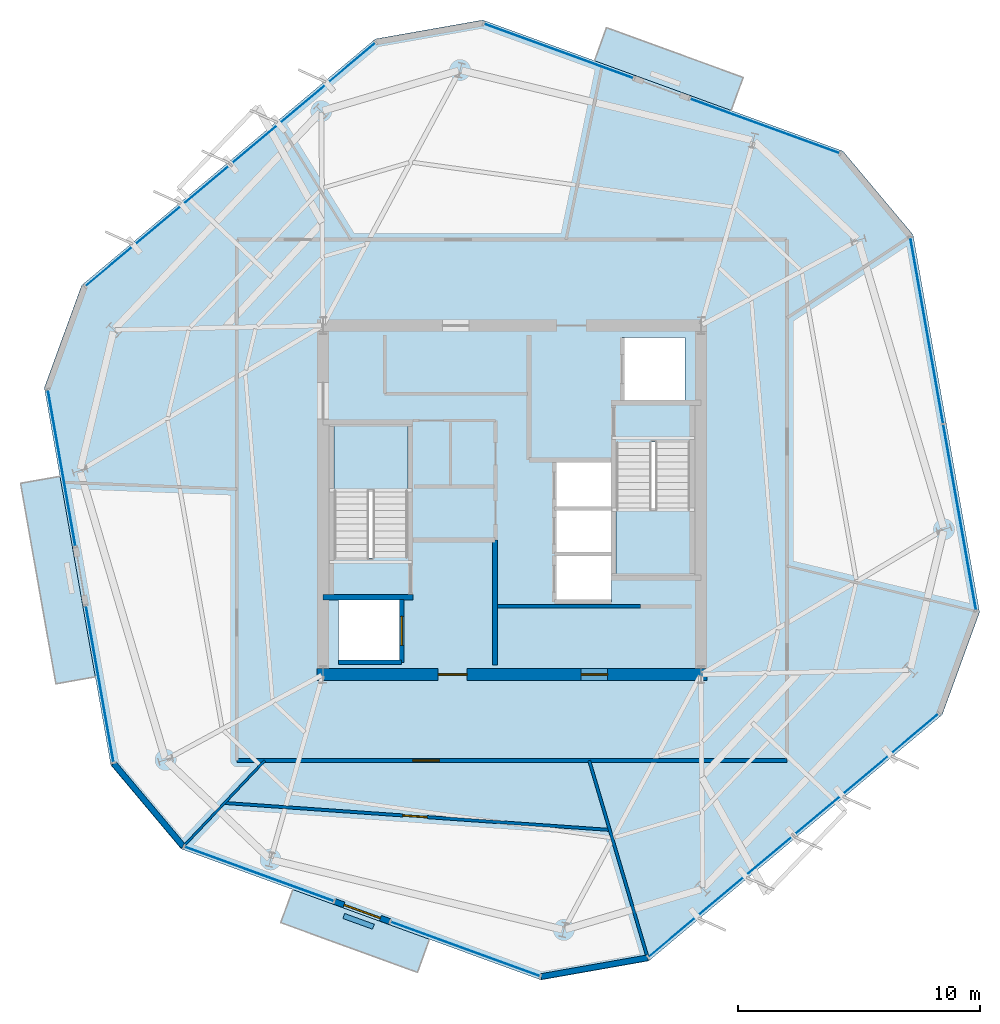
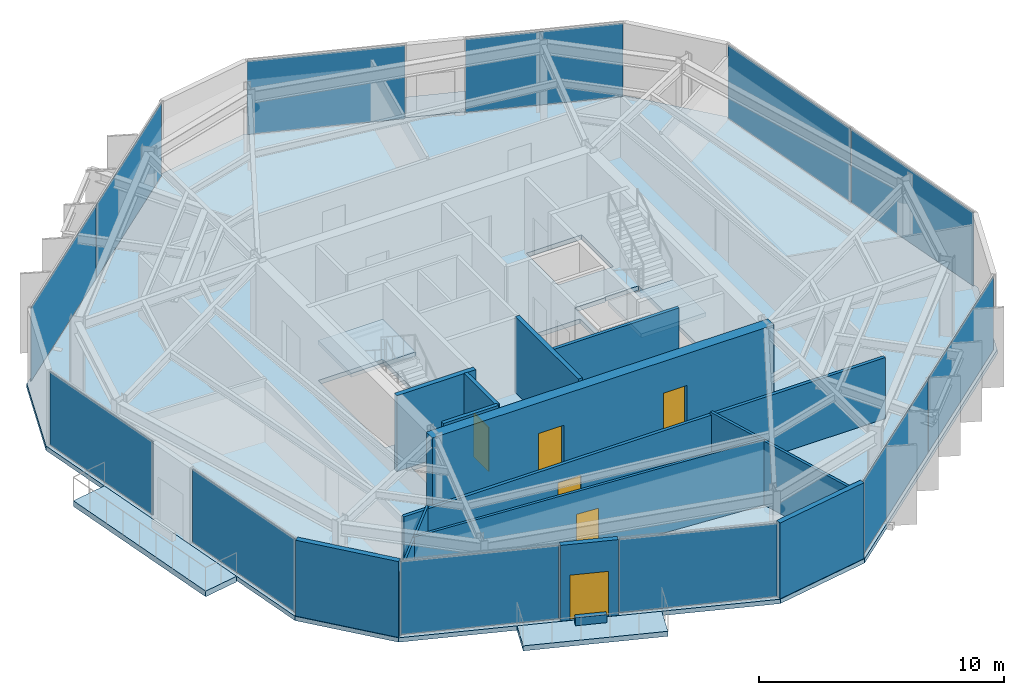
# One storey, part 6 of 11: 14 walls, 12 plates, 6 doors, 6 slabs, 6 openings, 11 elements without a shape of their own.
"""IFC4 building model written with IfcOpenShell, lengths in metres."""

from ifc_helpers import new_model, si_unit, direction, frame, frame_2d, origin, origin_2d, place, context, subcontext, project, spatial, polyline, rectangle, outline, extrude, material, layer, layer_set, type_object, element, fill, aggregate, save


model = new_model("IFC4")

# Units and contexts
model_context = context("Model", 3, precision=1e-05, world=origin(), true_north=direction((0.0, 1.0)))
body_context = subcontext(model_context, "Body", "Model", "MODEL_VIEW")
ifc_project = project(units=[si_unit("LENGTHUNIT", "METRE"), si_unit("AREAUNIT", "SQUARE_METRE"), si_unit("VOLUMEUNIT", "CUBIC_METRE"), si_unit("PLANEANGLEUNIT", "RADIAN"), si_unit("MASSUNIT", "GRAM", prefix="KILO")], contexts=[model_context])

# Site, building, storey
site_placement = place(None, origin())
site = spatial("IfcSite", under=ifc_project, at=site_placement, CompositionType="ELEMENT")
building_placement = place(site_placement, origin())
building = spatial("IfcBuilding", under=site, at=building_placement, Name="Kranzbogen Civic Tower", CompositionType="ELEMENT")
storey_placement = place(building_placement, frame((0.0, 0.0, 184.800048828125)))
storey = spatial("IfcBuildingStorey", under=building, at=storey_placement, Name="L44", CompositionType="ELEMENT", Elevation=184.800048828125)

# Slab
ifc_material_1 = material(Name="Concrete C40/50", Category="concrete")
ifc_layer_1 = layer(ifc_material_1, 0.219970703125, Name="Concrete C40/50")
ifc_layer_set_1 = layer_set([ifc_layer_1], Name="Concrete C40/50")
slab_type_1 = type_object("IfcSlabType", Name="Composite Upper Tower Floor Slab 220 mm", PredefinedType="FLOOR", material=ifc_layer_set_1)
slab_1_placement = place(storey_placement, frame((0.0, 0.0, -0.219970703125)))
element("IfcSlab", 1, at=slab_1_placement, inside=storey, type_object=slab_type_1, Name="L44 tower floor slab", PredefinedType="FLOOR", context=body_context, shape_type="SweptSolid", body=[
    extrude(outline(polyline([(38.656982421875, 39.39697265625), (23.7919921875, 44.80810546875), (19.360107421875, 44.02587890625), (7.241943359375, 33.85791015625), (5.702880859375, 29.62890625), (8.449951171875, 14.050048828125), (11.343017578125, 10.60302734375), (26.2080078125, 5.19189453125), (30.639892578125, 5.97412109375), (42.758056640625, 16.14208984375), (44.297119140625, 20.37109375), (41.550048828125, 35.949951171875), (38.656982421875, 39.39697265625)]), holes=[polyline([(17.85009765625, 20.89990234375), (20.449951171875, 20.89990234375), (20.449951171875, 18.300048828125), (17.85009765625, 18.300048828125), (17.85009765625, 20.89990234375)]), polyline([(29.10009765625, 22.699951171875), (29.10009765625, 20.800048828125), (26.75, 20.800048828125), (26.75, 22.699951171875), (29.10009765625, 22.699951171875)]), polyline([(29.10009765625, 24.64990234375), (29.10009765625, 22.77490234375), (26.75, 22.77490234375), (26.75, 24.64990234375), (26.75, 24.675048828125), (26.75, 26.550048828125), (29.10009765625, 26.550048828125), (29.10009765625, 24.675048828125), (29.10009765625, 24.64990234375)]), polyline([(29.300048828125, 27.340087890625), (30.75, 27.340087890625), (30.75, 27.39990234375), (32.35009765625, 27.39990234375), (32.35009765625, 21.89990234375), (29.300048828125, 21.89990234375), (29.300048828125, 27.340087890625)]), polyline([(20.699951171875, 22.659912109375), (19.25, 22.659912109375), (19.25, 22.60009765625), (17.64990234375, 22.60009765625), (17.64990234375, 28.10009765625), (20.699951171875, 28.10009765625), (20.699951171875, 22.659912109375)]), polyline([(32.14990234375, 31.699951171875), (32.14990234375, 29.10009765625), (29.550048828125, 29.10009765625), (29.550048828125, 31.699951171875), (32.14990234375, 31.699951171875)])]), origin(), (0.0, 0.0, 1.0), 0.219970703125),
])

# Curtain wall, plate
ifc_material_2 = material(Name="Pale Anodised Aluminium", Category="aluminium")
ifc_layer_2 = layer(ifc_material_2, 0.219970703125, Name="Pale Anodised Aluminium")
ifc_layer_set_2 = layer_set([ifc_layer_2], Name="Pale Anodised Aluminium")
curtain_wall_type = type_object("IfcCurtainWallType", Name="Zone 3 Stick Curtain Wall System CW-04", PredefinedType="USERDEFINED", material=ifc_layer_set_2)
curtain_wall_1_placement = place(storey_placement, origin())
curtain_wall_1 = element("IfcCurtainWall", 2, at=curtain_wall_1_placement, inside=storey, type_object=curtain_wall_type, Name="L44 curtain wall CW-L44-F1-S1", ObjectType="STICK CURTAIN WALL", PredefinedType="USERDEFINED")
ifc_material_3 = material(Name="Low-E Triple Glazing Glass", Category="glass")
ifc_layer_3 = layer(ifc_material_3, 0.030029296875, Name="Low-E Triple Glazing Glass")
ifc_layer_set_3 = layer_set([ifc_layer_3], Name="Low-E Triple Glazing Glass")
plate_type = type_object("IfcPlateType", Name="Insulated Low-E Glazing Panel 30 mm", PredefinedType="CURTAIN_PANEL", material=ifc_layer_set_3)
plate_1_placement = place(storey_placement, frame((35.43505859375, 40.43310546875, 0.06005859375), z_axis=(0.0, 0.0, 1.0), x_axis=(-0.93967049042, 0.342080939887, 0.0)))
plate_1 = element("IfcPlate", 3, at=plate_1_placement, type_object=plate_type, Name="CW-04 panel 1.1", PredefinedType="CURTAIN_PANEL", context=body_context, shape_type="SweptSolid", body=[
    extrude(rectangle(XDim=6.533447265625, YDim=0.028076171875, at=origin_2d()), origin(), (0.0, 0.0, 1.0), 3.659912109375),
])
aggregate(curtain_wall_1, [plate_1])

curtain_wall_2_placement = place(storey_placement, origin())
curtain_wall_2 = element("IfcCurtainWall", 4, at=curtain_wall_2_placement, inside=storey, type_object=curtain_wall_type, Name="L44 curtain wall CW-L44-F1-S2", ObjectType="STICK CURTAIN WALL", PredefinedType="USERDEFINED")
plate_2_placement = place(storey_placement, frame((26.927490234375, 43.530029296875, 0.06005859375), z_axis=(0.0, 0.0, 1.0), x_axis=(-0.93968807461, 0.342032633583, 0.0)))
plate_2 = element("IfcPlate", 5, at=plate_2_placement, type_object=plate_type, Name="CW-04 panel 1.1", PredefinedType="CURTAIN_PANEL", context=body_context, shape_type="SweptSolid", body=[
    extrude(rectangle(XDim=6.534423828125, YDim=0.028076171875, at=origin_2d()), origin(), (0.0, 0.0, 1.0), 3.659912109375),
])
aggregate(curtain_wall_2, [plate_2])

# Curtain wall, plates
curtain_wall_3_placement = place(storey_placement, origin())
curtain_wall_3 = element("IfcCurtainWall", 6, at=curtain_wall_3_placement, inside=storey, type_object=curtain_wall_type, Name="L44 curtain wall CW-L44-F2", ObjectType="STICK CURTAIN WALL", PredefinedType="USERDEFINED")
plate_3_placement = place(storey_placement, frame((16.38037109375, 41.3583984375, 0.06005859375), z_axis=(0.0, 0.0, 1.0), x_axis=(-0.766072212874, -0.642754513529, 0.0)))
plate_3 = element("IfcPlate", 7, at=plate_3_placement, type_object=plate_type, Name="CW-04 panel 1.1", PredefinedType="CURTAIN_PANEL", context=body_context, shape_type="SweptSolid", body=[
    extrude(rectangle(XDim=7.763671875, YDim=0.028076171875, at=origin_2d()), origin(), (0.0, 0.0, 1.0), 3.659912109375),
])
plate_4_placement = place(storey_placement, frame((10.38671875, 36.32958984375, 0.06005859375), z_axis=(0.0, 0.0, 1.0), x_axis=(-0.766072212874, -0.642754513529, 0.0)))
plate_4 = element("IfcPlate", 8, at=plate_4_placement, type_object=plate_type, Name="CW-04 panel 2.1", PredefinedType="CURTAIN_PANEL", context=body_context, shape_type="SweptSolid", body=[
    extrude(rectangle(XDim=7.763671875, YDim=0.028076171875, at=origin_2d()), origin(), (0.0, 0.0, 1.0), 3.659912109375),
])
aggregate(curtain_wall_3, [plate_3, plate_4])

# Curtain wall, plate
curtain_wall_4_placement = place(storey_placement, origin())
curtain_wall_4 = element("IfcCurtainWall", 9, at=curtain_wall_4_placement, inside=storey, type_object=curtain_wall_type, Name="L44 curtain wall CW-L44-F3-S1", ObjectType="STICK CURTAIN WALL", PredefinedType="USERDEFINED")
plate_5_placement = place(storey_placement, frame((6.41650390625, 26.320068359375, 0.06005859375), z_axis=(0.0, 0.0, 1.0), x_axis=(0.173605264532, -0.984815318792, 0.0)))
plate_5 = element("IfcPlate", 10, at=plate_5_placement, type_object=plate_type, Name="CW-04 panel 1.1", PredefinedType="CURTAIN_PANEL", context=body_context, shape_type="SweptSolid", body=[
    extrude(rectangle(XDim=6.532958984375, YDim=0.028076171875, at=origin_2d()), origin(), (0.0, 0.0, 1.0), 3.659912109375),
])
aggregate(curtain_wall_4, [plate_5])

curtain_wall_5_placement = place(storey_placement, origin())
curtain_wall_5 = element("IfcCurtainWall", 11, at=curtain_wall_5_placement, inside=storey, type_object=curtain_wall_type, Name="L44 curtain wall CW-L44-F3-S2", ObjectType="STICK CURTAIN WALL", PredefinedType="USERDEFINED")
plate_6_placement = place(storey_placement, frame((7.989013671875, 17.403564453125, 0.06005859375), z_axis=(0.0, 0.0, 1.0), x_axis=(0.173725321879, -0.984794147291, 0.0)))
plate_6 = element("IfcPlate", 12, at=plate_6_placement, type_object=plate_type, Name="CW-04 panel 1.1", PredefinedType="CURTAIN_PANEL", context=body_context, shape_type="SweptSolid", body=[
    extrude(rectangle(XDim=6.5341796875, YDim=0.028076171875, at=origin_2d()), origin(), (0.0, 0.0, 1.0), 3.659912109375),
])
aggregate(curtain_wall_5, [plate_6])

curtain_wall_6_placement = place(storey_placement, origin())
curtain_wall_6 = element("IfcCurtainWall", 13, at=curtain_wall_6_placement, inside=storey, type_object=curtain_wall_type, Name="L44 curtain wall CW-L44-F4-S1", ObjectType="STICK CURTAIN WALL", PredefinedType="USERDEFINED")
plate_7_placement = place(storey_placement, frame((14.56494140625, 9.56689453125, 0.06005859375), z_axis=(0.0, 0.0, 1.0), x_axis=(0.93967049042, -0.342080939887, 0.0)))
plate_7 = element("IfcPlate", 14, at=plate_7_placement, type_object=plate_type, Name="CW-04 panel 1.1", PredefinedType="CURTAIN_PANEL", context=body_context, shape_type="SweptSolid", body=[
    extrude(rectangle(XDim=6.533447265625, YDim=0.028076171875, at=origin_2d()), origin(), (0.0, 0.0, 1.0), 3.659912109375),
])
aggregate(curtain_wall_6, [plate_7])

curtain_wall_7_placement = place(storey_placement, origin())
curtain_wall_7 = element("IfcCurtainWall", 15, at=curtain_wall_7_placement, inside=storey, type_object=curtain_wall_type, Name="L44 curtain wall CW-L44-F4-S2", ObjectType="STICK CURTAIN WALL", PredefinedType="USERDEFINED")
plate_8_placement = place(storey_placement, frame((23.072509765625, 6.469970703125, 0.06005859375), z_axis=(0.0, 0.0, 1.0), x_axis=(0.93968807461, -0.342032633583, 0.0)))
plate_8 = element("IfcPlate", 16, at=plate_8_placement, type_object=plate_type, Name="CW-04 panel 1.1", PredefinedType="CURTAIN_PANEL", context=body_context, shape_type="SweptSolid", body=[
    extrude(rectangle(XDim=6.534423828125, YDim=0.028076171875, at=origin_2d()), origin(), (0.0, 0.0, 1.0), 3.659912109375),
])
aggregate(curtain_wall_7, [plate_8])

# Curtain wall, plates
curtain_wall_8_placement = place(storey_placement, origin())
curtain_wall_8 = element("IfcCurtainWall", 17, at=curtain_wall_8_placement, inside=storey, type_object=curtain_wall_type, Name="L44 curtain wall CW-L44-F5", ObjectType="STICK CURTAIN WALL", PredefinedType="USERDEFINED")
plate_9_placement = place(storey_placement, frame((33.61962890625, 8.6416015625, 0.06005859375), z_axis=(0.0, 0.0, 1.0), x_axis=(0.766072212874, 0.642754513529, 0.0)))
plate_9 = element("IfcPlate", 18, at=plate_9_placement, type_object=plate_type, Name="CW-04 panel 1.1", PredefinedType="CURTAIN_PANEL", context=body_context, shape_type="SweptSolid", body=[
    extrude(rectangle(XDim=7.763671875, YDim=0.028076171875, at=origin_2d()), origin(), (0.0, 0.0, 1.0), 3.659912109375),
])
plate_10_placement = place(storey_placement, frame((39.61328125, 13.67041015625, 0.06005859375), z_axis=(0.0, 0.0, 1.0), x_axis=(0.766072212874, 0.642754513529, 0.0)))
plate_10 = element("IfcPlate", 19, at=plate_10_placement, type_object=plate_type, Name="CW-04 panel 2.1", PredefinedType="CURTAIN_PANEL", context=body_context, shape_type="SweptSolid", body=[
    extrude(rectangle(XDim=7.763671875, YDim=0.028076171875, at=origin_2d()), origin(), (0.0, 0.0, 1.0), 3.659912109375),
])
aggregate(curtain_wall_8, [plate_9, plate_10])

curtain_wall_9_placement = place(storey_placement, origin())
curtain_wall_9 = element("IfcCurtainWall", 20, at=curtain_wall_9_placement, inside=storey, type_object=curtain_wall_type, Name="L44 curtain wall CW-L44-F6", ObjectType="STICK CURTAIN WALL", PredefinedType="USERDEFINED")
plate_11_placement = place(storey_placement, frame((43.476318359375, 24.2861328125, 0.06005859375), z_axis=(0.0, 0.0, 1.0), x_axis=(-0.173672747489, 0.984803420374, 0.0)))
plate_11 = element("IfcPlate", 21, at=plate_11_placement, type_object=plate_type, Name="CW-04 panel 1.1", PredefinedType="CURTAIN_PANEL", context=body_context, shape_type="SweptSolid", body=[
    extrude(rectangle(XDim=7.763916015625, YDim=0.028076171875, at=origin_2d()), origin(), (0.0, 0.0, 1.0), 3.659912109375),
])
plate_12_placement = place(storey_placement, frame((42.11767578125, 31.990966796875, 0.06005859375), z_axis=(0.0, 0.0, 1.0), x_axis=(-0.173672747489, 0.984803420374, 0.0)))
plate_12 = element("IfcPlate", 22, at=plate_12_placement, type_object=plate_type, Name="CW-04 panel 2.1", PredefinedType="CURTAIN_PANEL", context=body_context, shape_type="SweptSolid", body=[
    extrude(rectangle(XDim=7.763916015625, YDim=0.028076171875, at=origin_2d()), origin(), (0.0, 0.0, 1.0), 3.659912109375),
])
aggregate(curtain_wall_9, [plate_11, plate_12])

# Stair, slab
ifc_material_4 = material(Name="Precast concrete C40/50", Category="concrete")
stair_type_1 = type_object("IfcStairType", Name="Tower Core Pressurized Dogleg Stair 1450", PredefinedType="HALF_TURN_STAIR", material=ifc_material_4)
stair_1_placement = place(storey_placement, origin())
stair_1 = element("IfcStair", 23, at=stair_1_placement, inside=storey, type_object=stair_type_1, Name="L44 Tower Core Pressurized Stair 1", PredefinedType="HALF_TURN_STAIR")
ifc_layer_4 = layer(ifc_material_4, 0.199951171875, Name="Precast concrete C40/50")
ifc_layer_set_4 = layer_set([ifc_layer_4], Name="Precast concrete C40/50")
slab_type_2 = type_object("IfcSlabType", Name="Precast Concrete Stair Landing Slab 200 mm", PredefinedType="LANDING", material=ifc_layer_set_4)
slab_2_placement = place(storey_placement, frame((0.0, 0.0, 1.800048828125)))
slab_2 = element("IfcSlab", 24, at=slab_2_placement, type_object=slab_type_2, Name="ST-T1 landing 1", PredefinedType="LANDING", context=body_context, shape_type="SweptSolid", body=[
    extrude(outline(polyline([(20.699951171875, 25.39990234375), (20.699951171875, 28.10009765625), (17.64990234375, 28.10009765625), (17.64990234375, 25.39990234375), (20.699951171875, 25.39990234375)])), origin(), (0.0, 0.0, 1.0), 0.199951171875),
])
aggregate(stair_1, [slab_2])

stair_type_2 = type_object("IfcStairType", Name="Tower Core Secondary Dogleg Stair 1450", PredefinedType="HALF_TURN_STAIR", material=ifc_material_4)
stair_2_placement = place(storey_placement, origin())
stair_2 = element("IfcStair", 25, at=stair_2_placement, inside=storey, type_object=stair_type_2, Name="L44 Tower Core Pressurized Stair 2", PredefinedType="HALF_TURN_STAIR")
slab_3_placement = place(storey_placement, frame((0.0, 0.0, 1.800048828125)))
slab_3 = element("IfcSlab", 26, at=slab_3_placement, type_object=slab_type_2, Name="ST-T2 landing 1", PredefinedType="LANDING", context=body_context, shape_type="SweptSolid", body=[
    extrude(outline(polyline([(29.300048828125, 24.60009765625), (29.300048828125, 21.89990234375), (32.35009765625, 21.89990234375), (32.35009765625, 24.60009765625), (29.300048828125, 24.60009765625)])), origin(), (0.0, 0.0, 1.0), 0.199951171875),
])
aggregate(stair_2, [slab_3])

# Slabs
ifc_layer_5 = layer(ifc_material_1, 0.280029296875, Name="Concrete C40/50")
ifc_layer_set_5 = layer_set([ifc_layer_5], Name="Concrete C40/50")
slab_type_3 = type_object("IfcSlabType", Name="Spiral Terrace Cantilevered Slab 280 mm", PredefinedType="FLOOR", material=ifc_layer_set_5)
slab_4_placement = place(storey_placement, frame((0.0, 0.0, -0.280029296875)))
element("IfcSlab", 27, at=slab_4_placement, inside=storey, type_object=slab_type_3, Name="L44 cantilevered spiral terrace L44-ST", PredefinedType="FLOOR", context=body_context, shape_type="SweptSolid", body=[
    extrude(outline(polyline([(6.346923828125, 25.97607421875), (7.805908203125, 17.702880859375), (6.180908203125, 17.416015625), (4.721923828125, 25.68896484375), (6.346923828125, 25.97607421875)])), origin(), (0.0, 0.0, 1.0), 0.280029296875),
])
ifc_layer_6 = layer(ifc_material_1, 0.25, Name="Concrete C40/50")
ifc_layer_set_6 = layer_set([ifc_layer_6], Name="Concrete C40/50")
slab_type_4 = type_object("IfcSlabType", Name="Tree Balcony Cantilevered Slab 250 mm", PredefinedType="FLOOR", material=ifc_layer_set_6)
slab_5_placement = place(storey_placement, frame((0.0, 0.0, -0.25)))
element("IfcSlab", 28, at=slab_5_placement, inside=storey, type_object=slab_type_4, Name="L44 cantilevered tree balcony L44-TB1", PredefinedType="FLOOR", context=body_context, shape_type="SweptSolid", body=[
    extrude(outline(polyline([(15.9560546875, 8.924072265625), (21.593994140625, 6.8720703125), (21.097900390625, 5.509033203125), (15.4599609375, 7.56103515625), (15.9560546875, 8.924072265625)])), origin(), (0.0, 0.0, 1.0), 0.25),
])
slab_6_placement = place(storey_placement, frame((0.0, 0.0, -0.25)))
element("IfcSlab", 29, at=slab_6_placement, inside=storey, type_object=slab_type_4, Name="L44 cantilevered tree balcony L44-TB2", PredefinedType="FLOOR", context=body_context, shape_type="SweptSolid", body=[
    extrude(outline(polyline([(34.0439453125, 41.075927734375), (28.406005859375, 43.1279296875), (28.902099609375, 44.490966796875), (34.5400390625, 42.43896484375), (34.0439453125, 41.075927734375)])), origin(), (0.0, 0.0, 1.0), 0.25),
])

# Wall
ifc_material_5 = material(Name="Double-Stud Acoustic Gypsum Partition")
ifc_layer_7 = layer(ifc_material_5, 0.14990234375, Name="Double-Stud Acoustic Gypsum Partition")
ifc_layer_set_7 = layer_set([ifc_layer_7], Name="Double-Stud Acoustic Gypsum Partition")
wall_type_1 = type_object("IfcWallType", Name="Acoustic Corridor and Clinical Partition 150 mm", PredefinedType="PARTITIONING", material=ifc_layer_set_7)
wall_1_placement = place(storey_placement, frame((24.39990234375, 20.610107421875, 0.0), z_axis=(0.0, 0.0, 1.0), x_axis=(1.0, 0.0, 0.0)))
element("IfcWall", 30, at=wall_1_placement, inside=storey, type_object=wall_type_1, Name="L44 records zone North wall", PredefinedType="PARTITIONING", context=body_context, shape_type="SweptSolid", body=[
    extrude(rectangle(XDim=5.900146484375, YDim=0.14990234375, at=frame_2d((2.9501953125, 0.0))), origin(), (0.0, 0.0, 1.0), 3.780029296875),
])

# Wall, opening, door
wall_2_placement = place(storey_placement, frame((36.35009765625, 14.25, 0.0), z_axis=(0.0, 0.0, 1.0), x_axis=(-1.0, 0.0, 0.0)))
wall_2 = element("IfcWall", 31, at=wall_2_placement, inside=storey, type_object=wall_type_1, Name="L44 corridor partition 03", PredefinedType="PARTITIONING", context=body_context, shape_type="SweptSolid", body=[
    extrude(rectangle(XDim=22.7001953125, YDim=0.14990234375, at=frame_2d((11.35009765625, 0.0))), origin(), (0.0, 0.0, 1.0), 3.050048828125),
])
opening_1_placement = place(wall_2_placement, frame((14.341064453125, 0.0, 0.0)))
opening_1 = element("IfcOpeningElement", 32, at=opening_1_placement, cuts=wall_2, Name="Opening D-COR60", PredefinedType="OPENING", context=body_context, shape_type="SweptSolid", body=[
    extrude(rectangle(XDim=1.10009765625, YDim=2.199951171875, at=frame_2d((0.550048828125, 1.10009765625))), frame((0.0, 0.0849609375, 0.0), z_axis=(0.0, -1.0, 0.0), x_axis=(1.0, 0.0, 0.0)), (0.0, 0.0, 1.0), 0.169921875),
])
ifc_material_6 = material(Name="Oak Timber and Fire Core", Category="wood")
door_type_1 = type_object("IfcDoorType", Name="Corridor Acoustic Fire Door 1100x2200", OperationType="NOTDEFINED", PredefinedType="DOOR", material=ifc_material_6)
door_1_placement = place(opening_1_placement, origin())
door_1 = element("IfcDoor", 33, at=door_1_placement, inside=storey, type_object=door_type_1, Name="L44 Urban Design Workshop door", OperationType="SINGLE_SWING_LEFT", OverallHeight=2.199951171875, OverallWidth=1.10009765625, PredefinedType="DOOR", context=body_context, shape_type="SweptSolid", body=[
    extrude(rectangle(XDim=1.10009765625, YDim=2.199951171875, at=frame_2d((0.550048828125, 1.10009765625))), frame((0.0, 0.02490234375, 0.0), z_axis=(0.0, -1.0, 0.0), x_axis=(1.0, 0.0, 0.0)), (0.0, 0.0, 1.0), 0.050048828125),
])
fill(opening_1, door_1)

# Wall
ifc_material_7 = material(Name="Insulated Metal-Stud Gypsum Partition")
ifc_layer_8 = layer(ifc_material_7, 0.125, Name="Insulated Metal-Stud Gypsum Partition")
ifc_layer_set_8 = layer_set([ifc_layer_8], Name="Insulated Metal-Stud Gypsum Partition")
wall_type_2 = type_object("IfcWallType", Name="Acoustic Inter-Room Partition 125 mm", PredefinedType="PARTITIONING", material=ifc_layer_set_8)
wall_3_placement = place(storey_placement, frame((28.18701171875, 14.25, 0.0), z_axis=(0.0, 0.0, 1.0), x_axis=(0.284179562535, -0.958771076033, 0.0)))
element("IfcWall", 34, at=wall_3_placement, inside=storey, type_object=wall_type_2, Name="L44 radial room partition 05", PredefinedType="PARTITIONING", context=body_context, shape_type="SweptSolid", body=[
    extrude(rectangle(XDim=8.473388671875, YDim=0.125, at=frame_2d((4.23681640625, 0.0))), origin(), (0.0, 0.0, 1.0), 3.179931640625),
])

# Wall, opening, door
wall_4_placement = place(storey_placement, frame((13.158935546875, 12.49609375, 0.0), z_axis=(0.0, 0.0, 1.0), x_axis=(0.99755970511, -0.069818584499, 0.0)))
wall_4 = element("IfcWall", 35, at=wall_4_placement, inside=storey, type_object=wall_type_2, Name="L44 suite chord partition 01", PredefinedType="PARTITIONING", context=body_context, shape_type="SweptSolid", body=[
    extrude(rectangle(XDim=15.89990234375, YDim=0.125, at=frame_2d((7.949951171875, 0.0))), origin(), (0.0, 0.0, 1.0), 3.280029296875),
])
opening_2_placement = place(wall_4_placement, frame((7.360107421875, 0.0, 0.0)))
opening_2 = element("IfcOpeningElement", 36, at=opening_2_placement, cuts=wall_4, Name="Opening D-OFC10", PredefinedType="OPENING", context=body_context, shape_type="SweptSolid", body=[
    extrude(rectangle(XDim=1.0, YDim=2.14990234375, at=frame_2d((0.5, 1.074951171875))), frame((0.0, 0.072509765625, 0.0), z_axis=(0.0, -1.0, 0.0), x_axis=(1.0, 0.0, 0.0)), (0.0, 0.0, 1.0), 0.14501953125),
])
ifc_material_8 = material(Name="Oak Timber Veneer", Category="wood")
door_type_2 = type_object("IfcDoorType", Name="Standard Office Acoustic Door 1000x2150", OperationType="NOTDEFINED", PredefinedType="DOOR", material=ifc_material_8)
door_2_placement = place(opening_2_placement, origin())
door_2 = element("IfcDoor", 37, at=door_2_placement, inside=storey, type_object=door_type_2, Name="L44 Cultural Screening Clubroom door", OperationType="SINGLE_SWING_RIGHT", OverallHeight=2.14990234375, OverallWidth=1.0, PredefinedType="DOOR", context=body_context, shape_type="SweptSolid", body=[
    extrude(rectangle(XDim=1.0, YDim=2.14990234375, at=frame_2d((0.5, 1.074951171875))), frame((0.0, 0.02490234375, 0.0), z_axis=(0.0, -1.0, 0.0), x_axis=(1.0, 0.0, 0.0)), (0.0, 0.0, 1.0), 0.050048828125),
])
fill(opening_2, door_2)

# Wall
ifc_material_9 = material(Name="Architectural Precast Terracotta Concrete C40/50", Category="masonry")
ifc_layer_9 = layer(ifc_material_9, 0.219970703125, Name="Architectural Precast Terracotta Concrete C40/50")
ifc_layer_set_9 = layer_set([ifc_layer_9], Name="Architectural Precast Terracotta Concrete C40/50")
wall_type_3 = type_object("IfcWallType", Name="Architectural Tree Planter Kerb Wall 220 mm", PredefinedType="USERDEFINED", material=ifc_layer_set_9)
wall_5_placement = place(storey_placement, frame((18.06005859375, 7.833984375, 0.0), z_axis=(0.0, 0.0, 1.0), x_axis=(0.93985371871, -0.341577205661, 0.0)))
element("IfcWall", 38, at=wall_5_placement, inside=storey, type_object=wall_type_3, Name="L44 landscaped tree balcony planter L44-TB1", ObjectType="PLANTER_WALL", PredefinedType="USERDEFINED", context=body_context, shape_type="SweptSolid", body=[
    extrude(rectangle(XDim=1.300048828125, YDim=0.219970703125, at=frame_2d((0.64990234375, 0.0))), origin(), (0.0, 0.0, 1.0), 0.39990234375),
])

# Wall, openings, doors
ifc_material_10 = material(Name="Concrete C45/55", Category="concrete")
ifc_layer_10 = layer(ifc_material_10, 0.5, Name="Concrete C45/55")
ifc_layer_set_10 = layer_set([ifc_layer_10], Name="Concrete C45/55")
wall_type_4 = type_object("IfcWallType", Name="Central Core Shear Wall 500 mm", PredefinedType="SHEAR", material=ifc_layer_set_10)
wall_6_placement = place(storey_placement, frame((16.949951171875, 17.800048828125, 0.0), z_axis=(0.0, 0.0, 1.0), x_axis=(1.0, 0.0, 0.0)))
wall_6 = element("IfcWall", 39, at=wall_6_placement, inside=storey, type_object=wall_type_4, Name="L44 central core South shear wall", PredefinedType="SHEAR", context=body_context, shape_type="SweptSolid", body=[
    extrude(rectangle(XDim=16.10009765625, YDim=0.5, at=frame_2d((8.050048828125, 0.0))), origin(), (0.0, 0.0, 1.0), 3.780029296875),
])
opening_3_placement = place(wall_6_placement, frame((5.0, 0.0, 0.0)))
opening_3 = element("IfcOpeningElement", 40, at=opening_3_placement, cuts=wall_6, Name="Opening D-EX120", PredefinedType="OPENING", context=body_context, shape_type="SweptSolid", body=[
    extrude(rectangle(XDim=1.199951171875, YDim=2.25, at=frame_2d((0.60009765625, 1.125))), frame((0.0, 0.260009765625, 0.0), z_axis=(0.0, -1.0, 0.0), x_axis=(1.0, 0.0, 0.0)), (0.0, 0.0, 1.0), 0.52001953125),
])
opening_4_placement = place(wall_6_placement, frame((10.89990234375, 0.0, 0.0)))
opening_4 = element("IfcOpeningElement", 41, at=opening_4_placement, cuts=wall_6, Name="Opening D-COR60", PredefinedType="OPENING", context=body_context, shape_type="SweptSolid", body=[
    extrude(rectangle(XDim=1.10009765625, YDim=2.199951171875, at=frame_2d((0.550048828125, 1.10009765625))), frame((0.0, 0.260009765625, 0.0), z_axis=(0.0, -1.0, 0.0), x_axis=(1.0, 0.0, 0.0)), (0.0, 0.0, 1.0), 0.52001953125),
])
door_3_placement = place(opening_4_placement, origin())
door_3 = element("IfcDoor", 42, at=door_3_placement, inside=storey, type_object=door_type_1, Name="L44 REC1 archive room door", OperationType="SINGLE_SWING_RIGHT", OverallHeight=2.199951171875, OverallWidth=1.10009765625, PredefinedType="DOOR", context=body_context, shape_type="SweptSolid", body=[
    extrude(rectangle(XDim=1.10009765625, YDim=2.199951171875, at=frame_2d((0.550048828125, 1.10009765625))), frame((0.0, 0.02490234375, 0.0), z_axis=(0.0, -1.0, 0.0), x_axis=(1.0, 0.0, 0.0)), (0.0, 0.0, 1.0), 0.050048828125),
])
fill(opening_4, door_3)
ifc_material_11 = material(Name="Steel S355", Category="steel")
door_type_3 = type_object("IfcDoorType", Name="Exit Passageway Fire Door 1200x2250", OperationType="NOTDEFINED", PredefinedType="DOOR", material=ifc_material_11)
door_4_placement = place(opening_3_placement, origin())
door_4 = element("IfcDoor", 43, at=door_4_placement, inside=storey, type_object=door_type_3, Name="L44 West firefighting lobby corridor door", OperationType="SINGLE_SWING_LEFT", OverallHeight=2.25, OverallWidth=1.199951171875, PredefinedType="DOOR", context=body_context, shape_type="SweptSolid", body=[
    extrude(rectangle(XDim=1.199951171875, YDim=2.25, at=frame_2d((0.60009765625, 1.125))), frame((0.0, 0.02490234375, 0.0), z_axis=(0.0, -1.0, 0.0), x_axis=(1.0, 0.0, 0.0)), (0.0, 0.0, 1.0), 0.050048828125),
])
fill(opening_3, door_4)

# Walls
ifc_layer_11 = layer(ifc_material_10, 0.219970703125, Name="Concrete C45/55")
ifc_layer_set_11 = layer_set([ifc_layer_11], Name="Concrete C45/55")
wall_type_5 = type_object("IfcWallType", Name="Core Internal Stair Structural Wall 220 mm", PredefinedType="SOLIDWALL", material=ifc_layer_set_11)
wall_7_placement = place(storey_placement, frame((17.199951171875, 20.989990234375, 0.0), z_axis=(0.0, 0.0, 1.0), x_axis=(1.0, 0.0, 0.0)))
element("IfcWall", 44, at=wall_7_placement, inside=storey, type_object=wall_type_5, Name="L44 ST-T1 South structural stair wall", PredefinedType="SOLIDWALL", context=body_context, shape_type="SweptSolid", body=[
    extrude(rectangle(XDim=3.719970703125, YDim=0.219970703125, at=frame_2d((1.85986328125, 0.0))), origin(), (0.0, 0.0, 1.0), 3.780029296875),
])
ifc_material_12 = material(Name="Demountable Aluminium and Gypsum Partition", Category="aluminium")
ifc_layer_12 = layer(ifc_material_12, 0.10009765625, Name="Demountable Aluminium and Gypsum Partition")
ifc_layer_set_12 = layer_set([ifc_layer_12], Name="Demountable Aluminium and Gypsum Partition")
wall_type_6 = type_object("IfcWallType", Name="Demountable Office Partition 100 mm", PredefinedType="MOVABLE", material=ifc_layer_set_12)
wall_8_placement = place(storey_placement, frame((14.802978515625, 14.25, 0.0), z_axis=(0.0, 0.0, 1.0), x_axis=(-0.688284115744, -0.725441228505, 0.0)))
element("IfcWall", 45, at=wall_8_placement, inside=storey, type_object=wall_type_6, Name="L44 radial room partition 04", PredefinedType="MOVABLE", context=body_context, shape_type="SweptSolid", body=[
    extrude(rectangle(XDim=4.86865234375, YDim=0.10009765625, at=frame_2d((2.434326171875, 0.0))), origin(), (0.0, 0.0, 1.0), 3.179931640625),
])
ifc_material_13 = material(Name="Gypsum Fireboard and Concrete Block", Category="concrete")
ifc_layer_13 = layer(ifc_material_13, 0.199951171875, Name="Gypsum Fireboard and Concrete Block")
ifc_layer_set_13 = layer_set([ifc_layer_13], Name="Gypsum Fireboard and Concrete Block")
wall_type_7 = type_object("IfcWallType", Name="Fire-Rated Exit Passageway and Stair Wall 200 mm", PredefinedType="PARTITIONING", material=ifc_layer_set_13)
wall_9_placement = place(storey_placement, frame((24.300048828125, 18.199951171875, 0.0), z_axis=(0.0, 0.0, 1.0), x_axis=(0.0, 1.0, 0.0)))
element("IfcWall", 46, at=wall_9_placement, inside=storey, type_object=wall_type_7, Name="L44 West firefighting lobby East wall", PredefinedType="PARTITIONING", context=body_context, shape_type="SweptSolid", body=[
    extrude(rectangle(XDim=5.150146484375, YDim=0.199951171875, at=frame_2d((2.5751953125, 0.0))), origin(), (0.0, 0.0, 1.0), 3.780029296875),
])

# Wall, opening, door
ifc_material_14 = material(Name="Gypsum Fireboard Shaftliner")
ifc_layer_14 = layer(ifc_material_14, 0.175048828125, Name="Gypsum Fireboard Shaftliner")
ifc_layer_set_14 = layer_set([ifc_layer_14], Name="Gypsum Fireboard Shaftliner")
wall_type_8 = type_object("IfcWallType", Name="Fire-Rated Lift and Service Shaft Wall 175 mm", PredefinedType="PARTITIONING", material=ifc_layer_set_14)
wall_10_placement = place(storey_placement, frame((20.449951171875, 18.300048828125, 0.0), z_axis=(0.0, 0.0, 1.0), x_axis=(0.0, 1.0, 0.0)))
wall_10 = element("IfcWall", 47, at=wall_10_placement, inside=storey, type_object=wall_type_8, Name="L44 lift FF-01 landing wall", PredefinedType="PARTITIONING", context=body_context, shape_type="SweptSolid", body=[
    extrude(rectangle(XDim=2.599853515625, YDim=0.175048828125, at=frame_2d((1.2998046875, 0.0))), origin(), (0.0, 0.0, 1.0), 3.780029296875),
])
opening_5_placement = place(wall_10_placement, frame((0.699951171875, 0.0, 0.0)))
opening_5 = element("IfcOpeningElement", 48, at=opening_5_placement, cuts=wall_10, Name="Opening LD-FF-01", PredefinedType="OPENING", context=body_context, shape_type="SweptSolid", body=[
    extrude(rectangle(XDim=1.199951171875, YDim=2.199951171875, at=frame_2d((0.60009765625, 1.10009765625))), frame((0.0, 0.09765625, 0.0), z_axis=(0.0, -1.0, 0.0), x_axis=(1.0, 0.0, 0.0)), (0.0, 0.0, 1.0), 0.195068359375),
])
door_type_4 = type_object("IfcDoorType", Name="Firefighting and Stretcher Lift Sliding Landing Door 1200x2200", OperationType="DOUBLE_DOOR_SLIDING", PredefinedType="DOOR", material=ifc_material_2)
door_5_placement = place(opening_5_placement, origin())
door_5 = element("IfcDoor", 49, at=door_5_placement, inside=storey, type_object=door_type_4, Name="L44 lift FF-01 sliding landing door", OperationType="DOUBLE_DOOR_SLIDING", OverallHeight=2.199951171875, OverallWidth=1.199951171875, PredefinedType="DOOR", context=body_context, shape_type="SweptSolid", body=[
    extrude(rectangle(XDim=1.199951171875, YDim=2.199951171875, at=frame_2d((0.60009765625, 1.10009765625))), frame((0.0, 0.02490234375, 0.0), z_axis=(0.0, -1.0, 0.0), x_axis=(1.0, 0.0, 0.0)), (0.0, 0.0, 1.0), 0.050048828125),
])
fill(opening_5, door_5)

# Walls
wall_11_placement = place(storey_placement, frame((17.85009765625, 18.300048828125, 0.0), z_axis=(0.0, 0.0, 1.0), x_axis=(1.0, 0.0, 0.0)))
element("IfcWall", 50, at=wall_11_placement, inside=storey, type_object=wall_type_8, Name="L44 lift FF-01 side wall", PredefinedType="PARTITIONING", context=body_context, shape_type="SweptSolid", body=[
    extrude(rectangle(XDim=2.599853515625, YDim=0.175048828125, at=frame_2d((1.2998046875, 0.0))), origin(), (0.0, 0.0, 1.0), 3.780029296875),
])
ifc_layer_15 = layer(ifc_material_2, 0.239990234375, Name="Pale Anodised Aluminium")
ifc_layer_set_15 = layer_set([ifc_layer_15], Name="Pale Anodised Aluminium")
wall_type_9 = type_object("IfcWallType", Name="Insulated Aluminium Facade Portal Wall 240 mm", PredefinedType="STANDARD", material=ifc_layer_set_15)
wall_12_placement = place(storey_placement, frame((8.56689453125, 14.126953125, 0.0), z_axis=(0.0, 0.0, 1.0), x_axis=(0.642889570515, -0.765958876261, 0.0)))
element("IfcWall", 51, at=wall_12_placement, inside=storey, type_object=wall_type_9, Name="L44 chamfered corner facade spandrel 3", PredefinedType="STANDARD", context=body_context, shape_type="SweptSolid", body=[
    extrude(rectangle(XDim=4.467529296875, YDim=0.239990234375, at=frame_2d((2.23388671875, 0.0))), origin(), (0.0, 0.0, 1.0), 3.780029296875),
])

# Wall, opening, door
wall_13_placement = place(storey_placement, frame((17.69091796875, 8.428955078125, 0.0), z_axis=(0.0, 0.0, 1.0), x_axis=(0.939659694648, -0.342110593602, 0.0)))
wall_13 = element("IfcWall", 52, at=wall_13_placement, inside=storey, type_object=wall_type_9, Name="L44 exterior entrance portal wall 1", PredefinedType="STANDARD", context=body_context, shape_type="SweptSolid", body=[
    extrude(rectangle(XDim=2.39990234375, YDim=0.239990234375, at=frame_2d((1.199951171875, 0.0))), origin(), (0.0, 0.0, 1.0), 3.780029296875),
])
opening_6_placement = place(wall_13_placement, frame((0.39990234375, 0.0, 0.0)))
opening_6 = element("IfcOpeningElement", 53, at=opening_6_placement, cuts=wall_13, Name="Opening D-TER", PredefinedType="OPENING", context=body_context, shape_type="SweptSolid", body=[
    extrude(rectangle(XDim=1.60009765625, YDim=2.25, at=frame_2d((0.800048828125, 1.125))), frame((0.0, 0.1298828125, 0.0), z_axis=(0.0, -1.0, 0.0), x_axis=(1.0, 0.0, 0.0)), (0.0, 0.0, 1.0), 0.260009765625),
])
ifc_material_15 = material(Name="Anodised Bronze and Triple Glass", Category="glass")
door_type_5 = type_object("IfcDoorType", Name="Glazed Terrace and Balcony Double Door 1600x2250", OperationType="DOUBLE_DOOR_SINGLE_SWING", PredefinedType="DOOR", material=ifc_material_15)
door_6_placement = place(opening_6_placement, frame((1.60009765625, 0.0, 0.0), z_axis=(0.0, 0.0, 1.0), x_axis=(-1.0, 0.0, 0.0)))
door_6 = element("IfcDoor", 54, at=door_6_placement, inside=storey, type_object=door_type_5, Name="L44 tree balcony access door L44-TB1", OperationType="DOUBLE_DOOR_SINGLE_SWING", OverallHeight=2.25, OverallWidth=1.60009765625, PredefinedType="DOOR", context=body_context, shape_type="SweptSolid", body=[
    extrude(rectangle(XDim=1.60009765625, YDim=2.25, at=frame_2d((0.800048828125, 1.125))), frame((0.0, 0.02490234375, 0.0), z_axis=(0.0, -1.0, 0.0), x_axis=(1.0, 0.0, 0.0)), (0.0, 0.0, 1.0), 0.050048828125),
])
fill(opening_6, door_6)

# Wall
wall_14_placement = place(storey_placement, frame((26.198974609375, 5.33203125, 0.0), z_axis=(0.0, 0.0, 1.0), x_axis=(0.984813792018, 0.173613925281, 0.0)))
element("IfcWall", 55, at=wall_14_placement, inside=storey, type_object=wall_type_9, Name="L44 chamfered corner facade spandrel 4", PredefinedType="STANDARD", context=body_context, shape_type="SweptSolid", body=[
    extrude(rectangle(XDim=4.468994140625, YDim=0.239990234375, at=frame_2d((2.234375, 0.0))), origin(), (0.0, 0.0, 1.0), 3.780029296875),
])

save(model, "model.ifc")
